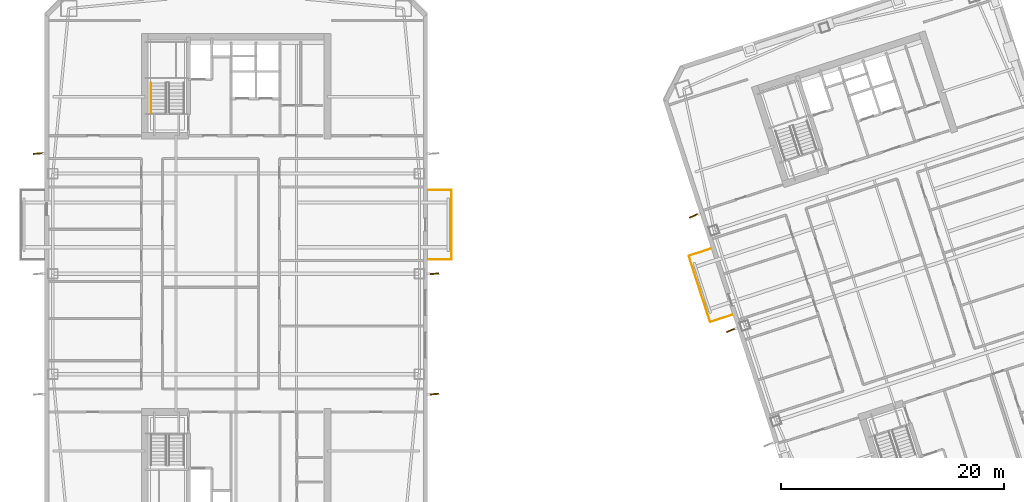
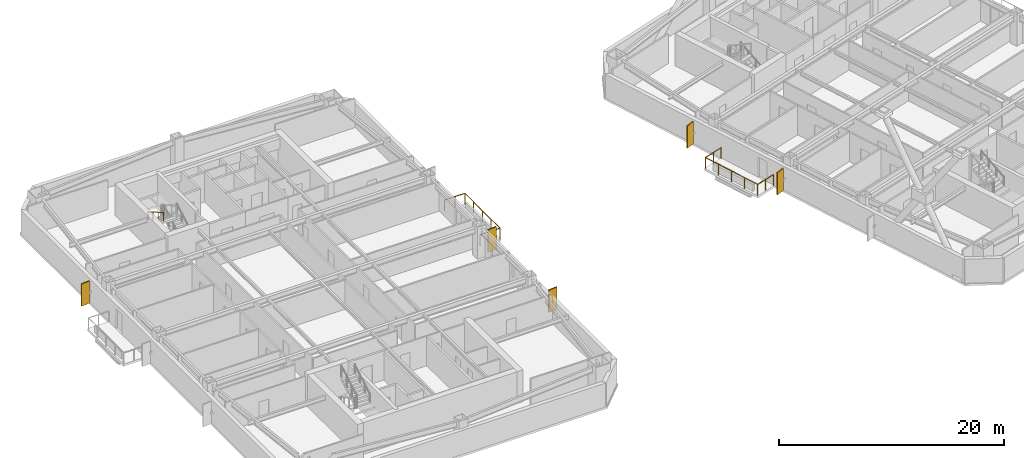
# One storey, part 15 of 18: 5 shading devices, 3 railings.
"""IFC4 building model written with IfcOpenShell, lengths in metres."""

from ifc_helpers import new_model, si_unit, direction, frame, origin, origin_2d, place, context, subcontext, project, spatial, rectangle, circle, extrude, material, layer, layer_set, type_object, element, save


model = new_model("IFC4")

# Units and contexts
model_context = context("Model", 3, precision=1e-05, world=origin(), true_north=direction((0.0, 1.0)))
body_context = subcontext(model_context, "Body", "Model", "MODEL_VIEW")
ifc_project = project(units=[si_unit("LENGTHUNIT", "METRE"), si_unit("AREAUNIT", "SQUARE_METRE"), si_unit("VOLUMEUNIT", "CUBIC_METRE"), si_unit("PLANEANGLEUNIT", "RADIAN"), si_unit("MASSUNIT", "GRAM", prefix="KILO")], contexts=[model_context])

# Site, building, storey
site_placement = place(None, origin())
site = spatial("IfcSite", under=ifc_project, at=site_placement, CompositionType="ELEMENT")
building_placement = place(site_placement, origin())
building = spatial("IfcBuilding", under=site, at=building_placement, Name="Qiaolan Cultural Towers", CompositionType="ELEMENT")
storey_placement = place(building_placement, frame((0.0, 0.0, 163.300048828125)))
storey = spatial("IfcBuildingStorey", under=building, at=storey_placement, Name="L43", CompositionType="ELEMENT", Elevation=163.300048828125)

# Railings
ifc_material_1 = material(Name="Laminated SentryGlas & Stainless Steel S31608 Balustrade", Category="steel")
railing_type_1 = type_object("IfcRailingType", Name="GRD-TERR-1200", PredefinedType="BALUSTRADE", material=ifc_material_1)
railing_1_placement = place(storey_placement, frame((47.25, 35.280029296875, 0.0)))
element("IfcRailing", 1, at=railing_1_placement, inside=storey, type_object=railing_type_1, Name="L43 T1 Tree Balcony Guardrail E", PredefinedType="BALUSTRADE", context=body_context, shape_type="SweptSolid", body=[
    extrude(circle(Radius=0.02392578125, at=origin_2d()), frame((0.0, 0.0, 1.17578125), z_axis=(1.0, 0.0, 0.0), x_axis=(0.0, 1.0, 0.0)), (0.0, 0.0, 1.0), 2.070068359375),
    extrude(circle(Radius=0.02392578125, at=origin_2d()), frame((2.070068359375, 0.0, 1.17578125), z_axis=(0.0, 1.0, 0.0), x_axis=(-1.0, 0.0, 0.0)), (0.0, 0.0, 1.0), 6.239990234375),
    extrude(circle(Radius=0.02392578125, at=origin_2d()), frame((2.070068359375, 6.239990234375, 1.17578125), z_axis=(-1.0, 0.0, 0.0), x_axis=(0.0, -1.0, 0.0)), (0.0, 0.0, 1.0), 2.070068359375),
    extrude(circle(Radius=0.02099609375, at=origin_2d()), origin(), (0.0, 0.0, 1.0), 1.15185546875),
    extrude(circle(Radius=0.02099609375, at=origin_2d()), frame((1.03515625, 0.0, 0.0)), (0.0, 0.0, 1.0), 1.15185546875),
    extrude(circle(Radius=0.02099609375, at=origin_2d()), frame((2.070068359375, 0.0, 0.0)), (0.0, 0.0, 1.0), 1.15185546875),
    extrude(circle(Radius=0.02099609375, at=origin_2d()), frame((2.070068359375, 1.56005859375, 0.0)), (0.0, 0.0, 1.0), 1.15185546875),
    extrude(circle(Radius=0.02099609375, at=origin_2d()), frame((2.070068359375, 3.1201171875, 0.0)), (0.0, 0.0, 1.0), 1.15185546875),
    extrude(circle(Radius=0.02099609375, at=origin_2d()), frame((2.070068359375, 4.679931640625, 0.0)), (0.0, 0.0, 1.0), 1.15185546875),
    extrude(circle(Radius=0.02099609375, at=origin_2d()), frame((2.070068359375, 6.239990234375, 0.0)), (0.0, 0.0, 1.0), 1.15185546875),
    extrude(circle(Radius=0.02099609375, at=origin_2d()), frame((1.03515625, 6.239990234375, 0.0)), (0.0, 0.0, 1.0), 1.15185546875),
    extrude(circle(Radius=0.02099609375, at=origin_2d()), frame((0.0, 6.239990234375, 0.0)), (0.0, 0.0, 1.0), 1.15185546875),
])
railing_2_placement = place(storey_placement, frame((74.5302734375, 30.3193359375, 0.0)))
element("IfcRailing", 2, at=railing_2_placement, inside=storey, type_object=railing_type_1, Name="L43 T2 Tree Balcony Guardrail W", PredefinedType="BALUSTRADE", context=body_context, shape_type="SweptSolid", body=[
    extrude(circle(Radius=0.02392578125, at=origin_2d()), frame((0.0, 0.0, 1.17578125), z_axis=(-0.951061799618, -0.309000733507, 0.0), x_axis=(0.309000733507, -0.951061799618, 0.0)), (0.0, 0.0, 1.0), 2.070068359375),
    extrude(circle(Radius=0.02392578125, at=origin_2d()), frame((-1.96875, -0.6396484375, 1.17578125), z_axis=(-0.30901175762, 0.951058217804, 0.0), x_axis=(-0.951058217804, -0.30901175762, 0.0)), (0.0, 0.0, 1.0), 6.239990234375),
    extrude(circle(Radius=0.02392578125, at=origin_2d()), frame((-3.89697265625, 5.294921875, 1.17578125), z_axis=(0.951061799618, 0.309000733507, 0.0), x_axis=(-0.309000733507, 0.951061799618, 0.0)), (0.0, 0.0, 1.0), 2.070068359375),
    extrude(circle(Radius=0.02099609375, at=origin_2d()), origin(), (0.0, 0.0, 1.0), 1.15185546875),
    extrude(circle(Radius=0.02099609375, at=origin_2d()), frame((-0.984375, -0.31982421875, 0.0)), (0.0, 0.0, 1.0), 1.15185546875),
    extrude(circle(Radius=0.02099609375, at=origin_2d()), frame((-1.96875, -0.6396484375, 0.0)), (0.0, 0.0, 1.0), 1.15185546875),
    extrude(circle(Radius=0.02099609375, at=origin_2d()), frame((-2.45068359375, 0.843994140625, 0.0)), (0.0, 0.0, 1.0), 1.15185546875),
    extrude(circle(Radius=0.02099609375, at=origin_2d()), frame((-2.932861328125, 2.32763671875, 0.0)), (0.0, 0.0, 1.0), 1.15185546875),
    extrude(circle(Radius=0.02099609375, at=origin_2d()), frame((-3.4150390625, 3.811279296875, 0.0)), (0.0, 0.0, 1.0), 1.15185546875),
    extrude(circle(Radius=0.02099609375, at=origin_2d()), frame((-3.89697265625, 5.294921875, 0.0)), (0.0, 0.0, 1.0), 1.15185546875),
    extrude(circle(Radius=0.02099609375, at=origin_2d()), frame((-2.91259765625, 5.61474609375, 0.0)), (0.0, 0.0, 1.0), 1.15185546875),
    extrude(circle(Radius=0.02099609375, at=origin_2d()), frame((-1.92822265625, 5.9345703125, 0.0)), (0.0, 0.0, 1.0), 1.15185546875),
])
ifc_material_2 = material(Name="Stainless Steel S30408 Tubular Handrail", Category="steel")
railing_type_2 = type_object("IfcRailingType", Name="RL-STAIR-HR", PredefinedType="HANDRAIL", material=ifc_material_2)
railing_3_placement = place(storey_placement, frame((22.35009765625, 51.14990234375, 1.8974609375)))
element("IfcRailing", 3, at=railing_3_placement, inside=storey, type_object=railing_type_2, Name="L43 ST-W2 stair handrail 2", PredefinedType="HANDRAIL", context=body_context, shape_type="SweptSolid", body=[
    extrude(circle(Radius=0.02392578125, at=origin_2d()), frame((0.0, 0.0, 0.8759765625), z_axis=(0.0, -0.866903762492, 0.498475542607), x_axis=(1.0, 0.0, 0.0)), (0.0, 0.0, 1.0), 3.114501953125),
    extrude(circle(Radius=0.02099609375, at=origin_2d()), origin(), (0.0, 0.0, 1.0), 0.851806640625),
    extrude(circle(Radius=0.02099609375, at=origin_2d()), frame((0.0, -0.89990234375, 0.517578125)), (0.0, 0.0, 1.0), 0.851806640625),
    extrude(circle(Radius=0.02099609375, at=origin_2d()), frame((0.0, -1.800048828125, 1.034912109375)), (0.0, 0.0, 1.0), 0.851806640625),
    extrude(circle(Radius=0.02099609375, at=origin_2d()), frame((0.0, -2.699951171875, 1.552490234375)), (0.0, 0.0, 1.0), 0.851806640625),
])

# Shading devices
ifc_material_3 = material(Name="Pierced Warm Terracotta Acoustic Fin", Category="masonry")
ifc_layer = layer(ifc_material_3, 0.1201171875)
ifc_layer_set = layer_set([ifc_layer], Name="Pierced Warm Terracotta Acoustic Fin")
shading_device_type = type_object("IfcShadingDeviceType", Name="SHD-FIN-PIERCED", PredefinedType="USERDEFINED", material=ifc_layer_set)
for number, where, z_axis, x_axis, name in (
    (4, (12.239990234375, 44.800048828125, 0.10009765625), (0.0, 0.0, 1.0), (0.995993912618, 0.089421060319, 0.0), "L43 T1 Expressive Precast Vertical Fin W3"),
    (5, (47.760009765625, 23.199951171875, 0.10009765625), (0.0, 0.0, 1.0), (0.995993912618, 0.089421060319, 0.0), "L43 T1 Expressive Precast Vertical Fin E1"),
    (6, (47.760009765625, 34.0, 0.10009765625), (0.0, 0.0, 1.0), (0.995993912618, 0.089421060319, 0.0), "L43 T1 Expressive Precast Vertical Fin E2"),
    (7, (74.440673828125, 28.944580078125, 0.10009765625), (0.0, 0.0, 1.0), (0.919613873492, 0.392823527404, 0.0), "L43 T2 Expressive Precast Vertical Fin W2"),
    (8, (71.103271484375, 39.2158203125, 0.10009765625), (0.0, 0.0, 1.0), (0.919613873492, 0.392823527404, 0.0), "L43 T2 Expressive Precast Vertical Fin W3"),
):
    element("IfcShadingDevice", number, at=place(storey_placement, frame(where, z_axis=z_axis, x_axis=x_axis)), inside=storey, type_object=shading_device_type, Name=name, ObjectType="FIN", PredefinedType="USERDEFINED", context=body_context, shape_type="SweptSolid", body=[
        extrude(rectangle(XDim=0.89990234375, YDim=0.1201171875, at=origin_2d()), origin(), (0.0, 0.0, 1.0), 2.409912109375),
    ])

save(model, "model.ifc")
